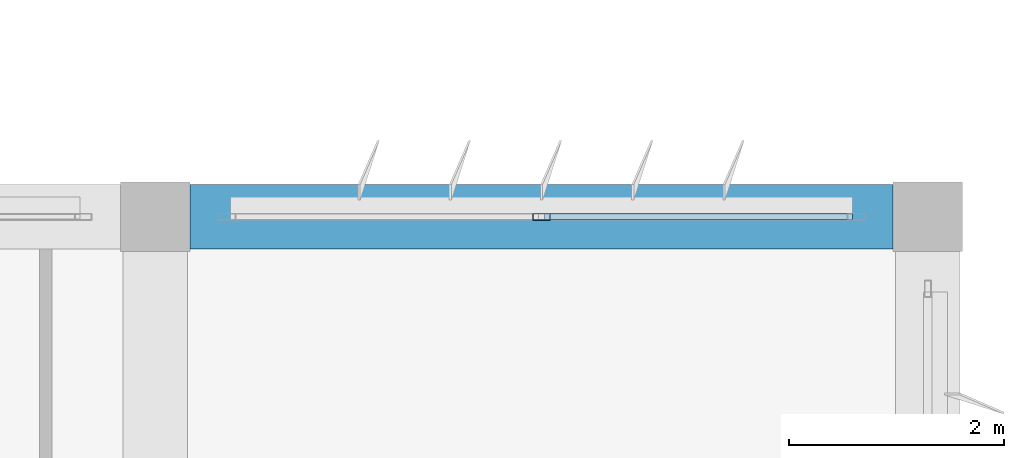
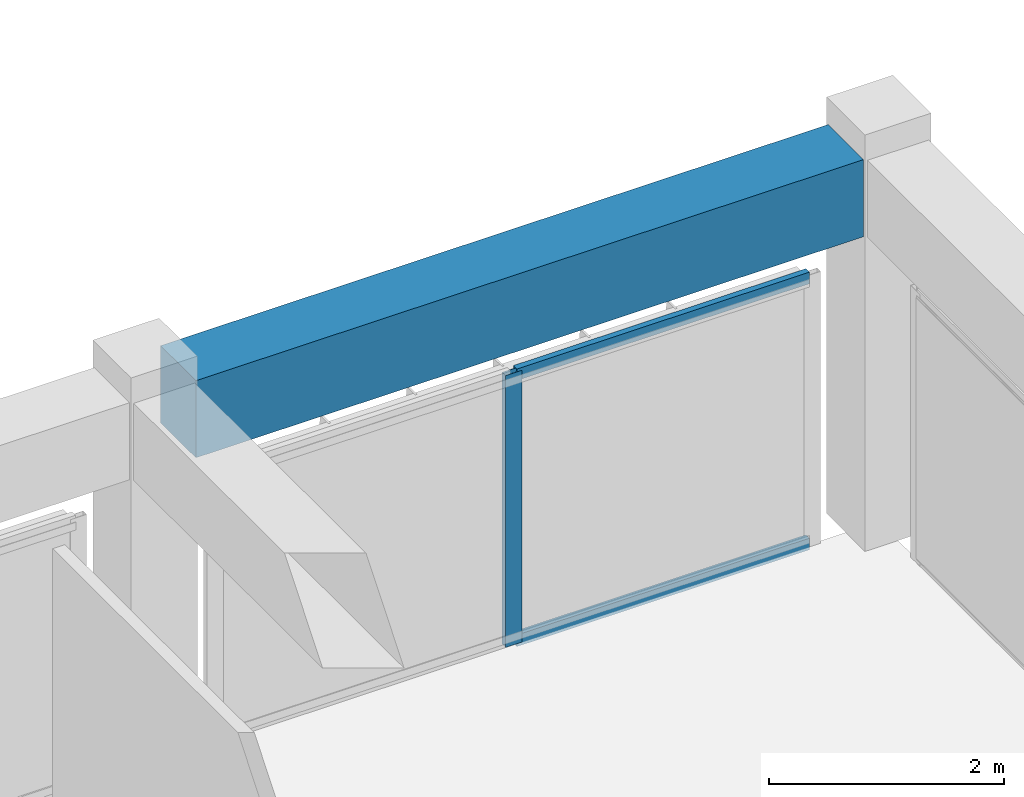
# One storey, part 27 of 53: 3 members, 1 beam, 1 element without a shape of its own.
"""IFC4 building model written with IfcOpenShell, lengths in metres."""

from ifc_helpers import new_model, si_unit, direction, frame, origin, origin_2d, place, context, subcontext, project, spatial, rectangle, hollow_rectangle, extrude, material, material_profile, profile_set, type_object, element, aggregate, save


model = new_model("IFC4")

# Units and contexts
model_context = context("Model", 3, precision=1e-05, world=origin(), true_north=direction((0.0, 1.0)))
body_context = subcontext(model_context, "Body", "Model", "MODEL_VIEW")
ifc_project = project(units=[si_unit("LENGTHUNIT", "METRE"), si_unit("AREAUNIT", "SQUARE_METRE"), si_unit("VOLUMEUNIT", "CUBIC_METRE"), si_unit("PLANEANGLEUNIT", "RADIAN"), si_unit("MASSUNIT", "GRAM", prefix="KILO")], contexts=[model_context])

# Site, building, storey
site_placement = place(None, origin())
site = spatial("IfcSite", under=ifc_project, at=site_placement, CompositionType="ELEMENT")
building_placement = place(site_placement, origin())
building = spatial("IfcBuilding", under=site, at=building_placement, Name="Kazehaya Institute of Natural Sciences", CompositionType="ELEMENT")
storey_placement = place(building_placement, frame((0.0, 0.0, 33.300048828125)))
storey = spatial("IfcBuildingStorey", under=building, at=storey_placement, Name="L07", CompositionType="ELEMENT", Elevation=33.300048828125)

# Beam
ifc_material_1 = material(Name="Concrete Fc36", Category="concrete")
ifc_material_profile_1 = material_profile(ifc_material_1, rectangle(XDim=0.60009765625, YDim=0.800048828125, at=origin_2d()), Name="RC-600x800")
ifc_profile_set_1 = profile_set([ifc_material_profile_1], Name="Concrete Fc36")
beam_type = type_object("IfcBeamType", Name="BM-G-600x800", PredefinedType="BEAM", material=ifc_profile_set_1)
beam_placement = place(storey_placement, frame((112.52490234375, 35.60009765625, 3.64990234375), z_axis=(1.0, 0.0, 0.0), x_axis=(0.0, 1.0, 0.0)))
element("IfcBeam", 1, at=beam_placement, inside=storey, type_object=beam_type, Name="L07 primary X girder BMX-L07-1122-356", PredefinedType="BEAM", context=body_context, shape_type="SweptSolid", body=[
    extrude(rectangle(XDim=0.60009765625, YDim=0.800048828125, at=origin_2d()), origin(), (0.0, 0.0, 1.0), 6.550048828125),
])

# Curtain wall, members
ifc_material_2 = material(Name="Aluminium alloy A6063S-T5", Category="aluminium")
curtain_wall_type = type_object("IfcCurtainWallType", Name="CW-SYS-05", PredefinedType="NOTDEFINED", material=ifc_material_2)
curtain_wall_placement = place(storey_placement, origin())
curtain_wall = element("IfcCurtainWall", 2, at=curtain_wall_placement, inside=storey, type_object=curtain_wall_type, Name="L07 unitised curtain wall CW-L07-165", PredefinedType="NOTDEFINED")
ifc_material_profile_2 = material_profile(ifc_material_2, hollow_rectangle(XDim=0.06005859375, YDim=0.159912109375, WallThickness=0.00390625, at=origin_2d()), Name="ALU-60x160x4")
ifc_profile_set_2 = profile_set([ifc_material_profile_2], Name="Aluminium alloy A6063S-T5")
member_type_1 = type_object("IfcMemberType", Name="CWM-160", PredefinedType="MULLION", material=ifc_profile_set_2)
member_1_placement = place(storey_placement, frame((115.800048828125, 35.60009765625, 0.0), z_axis=(0.0, 0.0, 1.0), x_axis=(0.0, 1.0, 0.0)))
member_1 = element("IfcMember", 3, at=member_1_placement, type_object=member_type_1, Name="CW05 mullion 2", PredefinedType="MULLION", context=body_context, shape_type="SweptSolid", body=[
    extrude(hollow_rectangle(XDim=0.06005859375, YDim=0.159912109375, WallThickness=0.00390625, at=origin_2d()), origin(), (0.0, 0.0, 1.0), 2.820068359375),
])
ifc_material_profile_3 = material_profile(ifc_material_2, hollow_rectangle(XDim=0.06005859375, YDim=0.1201171875, WallThickness=0.00341796875, at=origin_2d()), Name="ALU-60x120x3.5")
ifc_profile_set_3 = profile_set([ifc_material_profile_3], Name="Aluminium alloy A6063S-T5")
member_type_2 = type_object("IfcMemberType", Name="CWT-120", PredefinedType="USERDEFINED", material=ifc_profile_set_3)
member_2_placement = place(storey_placement, frame((115.830078125, 35.60009765625, 0.030029296875), z_axis=(1.0, 0.0, 0.0), x_axis=(0.0, 1.0, 0.0)))
member_2 = element("IfcMember", 4, at=member_2_placement, type_object=member_type_2, Name="CW05 transom 2.1", ObjectType="TRANSOM", PredefinedType="USERDEFINED", context=body_context, shape_type="SweptSolid", body=[
    extrude(hollow_rectangle(XDim=0.06005859375, YDim=0.1201171875, WallThickness=0.00341796875, at=origin_2d()), origin(), (0.0, 0.0, 1.0), 2.869873046875),
])
member_3_placement = place(storey_placement, frame((115.830078125, 35.60009765625, 2.7900390625), z_axis=(1.0, 0.0, 0.0), x_axis=(0.0, 1.0, 0.0)))
member_3 = element("IfcMember", 5, at=member_3_placement, type_object=member_type_2, Name="CW05 transom 2.2", ObjectType="TRANSOM", PredefinedType="USERDEFINED", context=body_context, shape_type="SweptSolid", body=[
    extrude(hollow_rectangle(XDim=0.06005859375, YDim=0.1201171875, WallThickness=0.00341796875, at=origin_2d()), origin(), (0.0, 0.0, 1.0), 2.869873046875),
])
aggregate(curtain_wall, [member_1, member_2, member_3])

save(model, "model.ifc")
